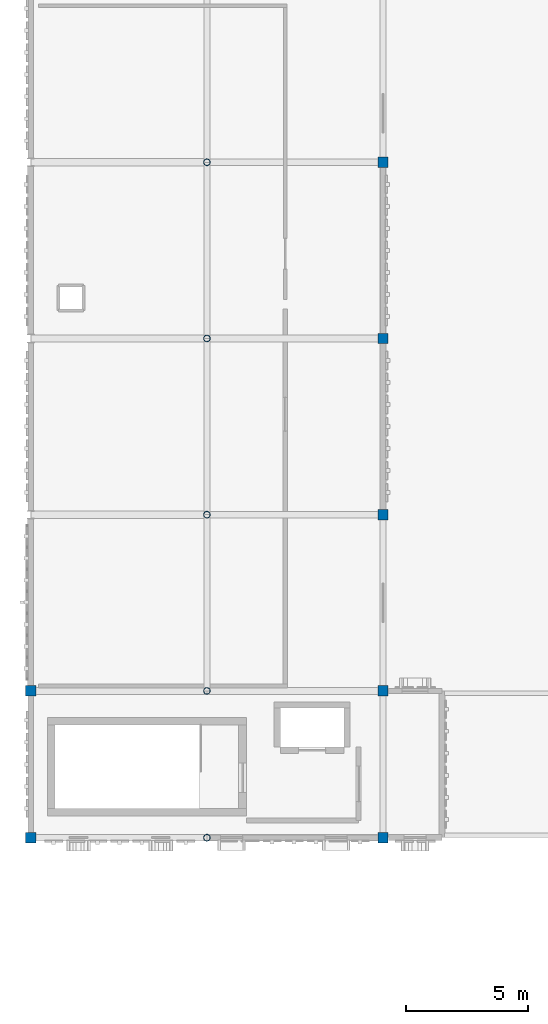
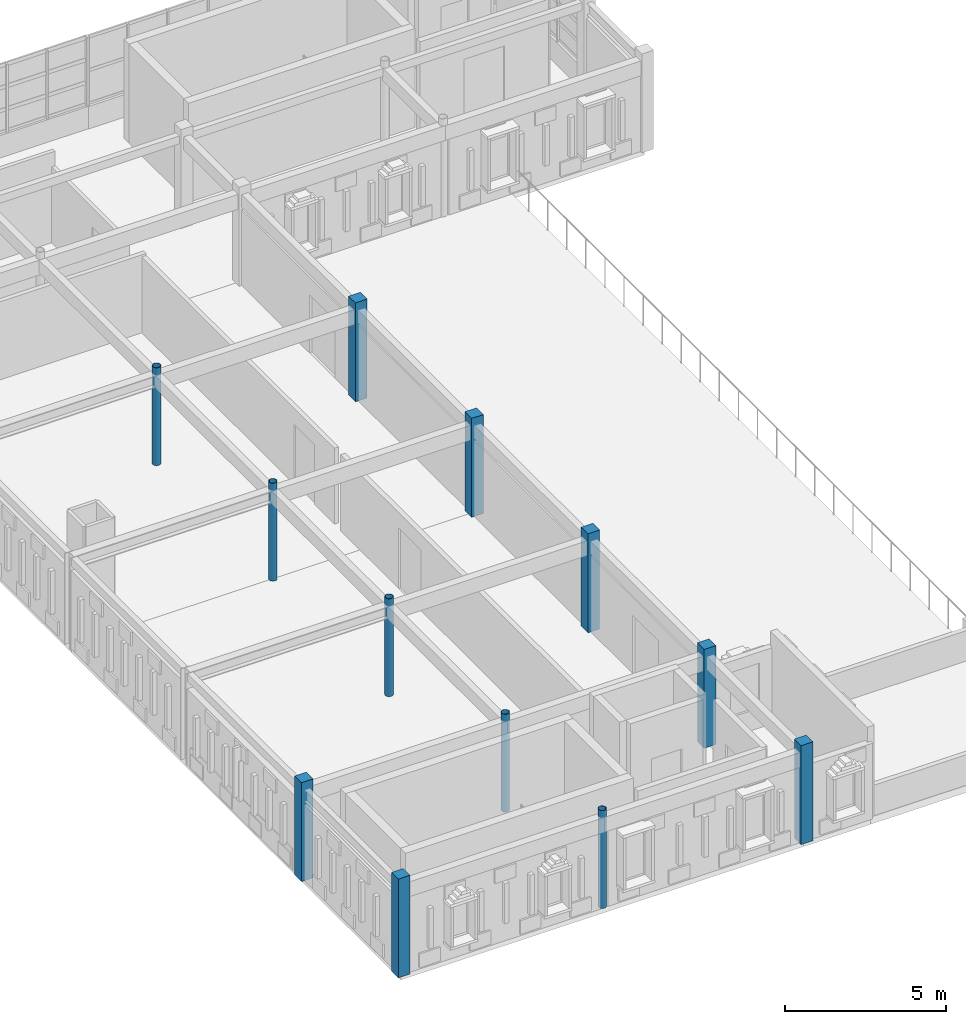
# One storey, part 1 of 46: 12 columns.
"""IFC4 building model written with IfcOpenShell, lengths in metres."""

from ifc_helpers import new_model, si_unit, direction, frame, origin, origin_2d, place, context, subcontext, project, spatial, rectangle, hollow_circle, extrude, material, material_profile, profile_set, type_object, element, save


model = new_model("IFC4")

# Units and contexts
model_context = context("Model", 3, precision=1e-05, world=origin(), true_north=direction((0.0, 1.0)))
body_context = subcontext(model_context, "Body", "Model", "MODEL_VIEW")
ifc_project = project(units=[si_unit("LENGTHUNIT", "METRE"), si_unit("AREAUNIT", "SQUARE_METRE"), si_unit("VOLUMEUNIT", "CUBIC_METRE"), si_unit("PLANEANGLEUNIT", "RADIAN"), si_unit("MASSUNIT", "GRAM", prefix="KILO")], contexts=[model_context])

# Site, building, storey
site_placement = place(None, origin())
site = spatial("IfcSite", under=ifc_project, at=site_placement, CompositionType="ELEMENT")
building_placement = place(site_placement, origin())
building = spatial("IfcBuilding", under=site, at=building_placement, Name="Nzembalo Square Collegiate School", CompositionType="ELEMENT")
storey_placement = place(building_placement, frame((0.0, 0.0, 17.340087890625)))
storey = spatial("IfcBuildingStorey", under=building, at=storey_placement, Name="L04", CompositionType="ELEMENT", Elevation=17.340087890625)

# Columns
ifc_material_1 = material(Name="Glulam GL28h", Category="wood")
ifc_material_profile_1 = material_profile(ifc_material_1, rectangle(XDim=0.419921875, YDim=0.419921875, at=origin_2d()), Name="GL28h 420x420")
ifc_profile_set_1 = profile_set([ifc_material_profile_1], Name="Glulam GL28h")
column_type_1 = type_object("IfcColumnType", Name="C06", PredefinedType="COLUMN", material=ifc_profile_set_1)
for number, where, z_axis, x_axis, name in (
    (1, (8.39990234375, 44.39990234375, 0.0), (0.0, 0.0, 1.0), (1.0, 0.0, 0.0), "Column C06 L04 2/G"),
    (2, (8.39990234375, 50.39990234375, 0.0), (0.0, 0.0, 1.0), (1.0, 0.0, 0.0), "Column C06 L04 2/H"),
    (3, (22.800048828125, 44.39990234375, 0.0), (0.0, 0.0, 1.0), (1.0, 0.0, 0.0), "Column C06 L04 4/G"),
    (4, (22.800048828125, 50.39990234375, 0.0), (0.0, 0.0, 1.0), (1.0, 0.0, 0.0), "Column C06 L04 4/H"),
    (5, (22.800048828125, 57.60009765625, 0.0), (0.0, 0.0, 1.0), (1.0, 0.0, 0.0), "Column C06 L04 4/I"),
    (6, (22.800048828125, 64.800048828125, 0.0), (0.0, 0.0, 1.0), (1.0, 0.0, 0.0), "Column C06 L04 4/J"),
    (7, (22.800048828125, 72.0, 0.0), (0.0, 0.0, 1.0), (1.0, 0.0, 0.0), "Column C06 L04 4/K"),
):
    element("IfcColumn", number, at=place(storey_placement, frame(where, z_axis=z_axis, x_axis=x_axis)), inside=storey, type_object=column_type_1, Name=name, PredefinedType="COLUMN", context=body_context, shape_type="SweptSolid", body=[
        extrude(rectangle(XDim=0.419921875, YDim=0.419921875, at=origin_2d()), origin(), (0.0, 0.0, 1.0), 3.739990234375),
    ])
ifc_material_2 = material(Name="Steel S355", Category="steel")
ifc_material_profile_2 = material_profile(ifc_material_2, hollow_circle(Radius=0.136474609375, WallThickness=0.011962890625, at=origin_2d()), Name="CHS 273x12")
ifc_profile_set_2 = profile_set([ifc_material_profile_2], Name="Steel S355")
column_type_2 = type_object("IfcColumnType", Name="C09", PredefinedType="COLUMN", material=ifc_profile_set_2)
for number, where, z_axis, x_axis, name in (
    (8, (15.60009765625, 44.39990234375, 0.0), (0.0, 0.0, 1.0), (1.0, 0.0, 0.0), "Column C09 L04 3/G"),
    (9, (15.60009765625, 50.39990234375, 0.0), (0.0, 0.0, 1.0), (1.0, 0.0, 0.0), "Column C09 L04 3/H"),
    (10, (15.60009765625, 57.60009765625, 0.0), (0.0, 0.0, 1.0), (1.0, 0.0, 0.0), "Column C09 L04 3/I"),
    (11, (15.60009765625, 64.800048828125, 0.0), (0.0, 0.0, 1.0), (1.0, 0.0, 0.0), "Column C09 L04 3/J"),
    (12, (15.60009765625, 72.0, 0.0), (0.0, 0.0, 1.0), (1.0, 0.0, 0.0), "Column C09 L04 3/K"),
):
    element("IfcColumn", number, at=place(storey_placement, frame(where, z_axis=z_axis, x_axis=x_axis)), inside=storey, type_object=column_type_2, Name=name, PredefinedType="COLUMN", context=body_context, shape_type="SweptSolid", body=[
        extrude(hollow_circle(Radius=0.136474609375, WallThickness=0.011962890625, at=origin_2d()), origin(), (0.0, 0.0, 1.0), 3.699951171875),
    ])

save(model, "model.ifc")
